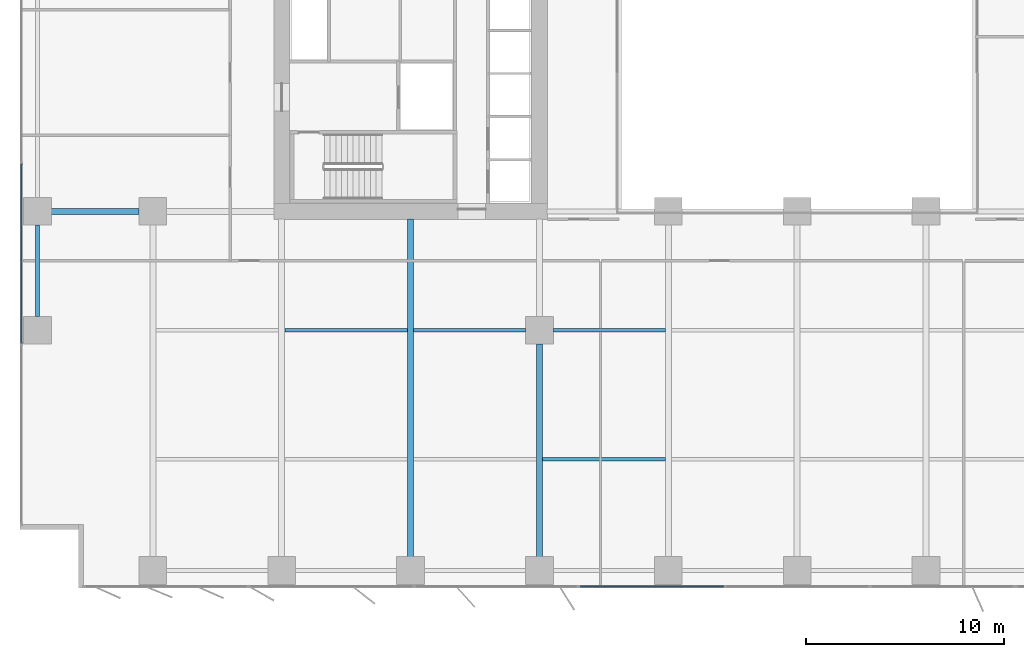
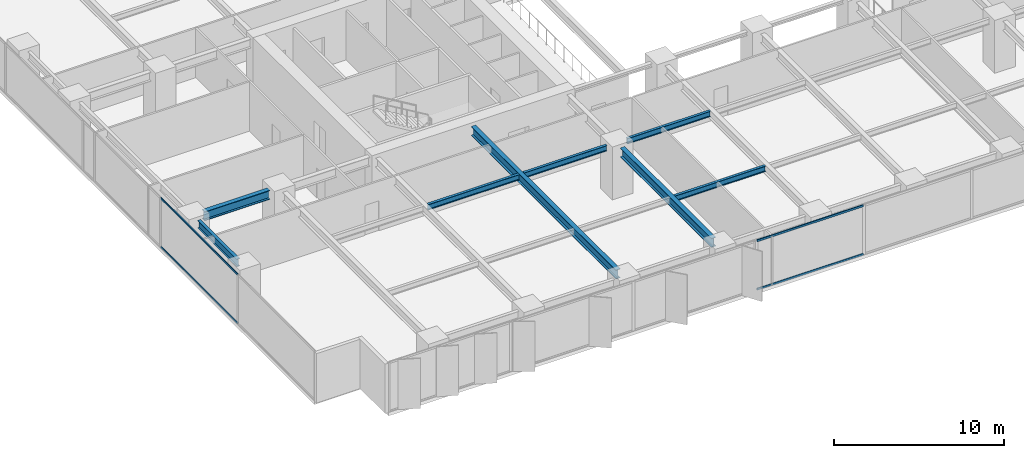
# One storey, part 3 of 20: 8 beams, 4 members, 2 elements without a shape of their own.
"""IFC4 building model written with IfcOpenShell, lengths in metres."""

from ifc_helpers import new_model, si_unit, direction, frame, origin, origin_2d, place, context, subcontext, project, spatial, rectangle, i_section, extrude, material, layer, layer_set, material_profile, profile_set, type_object, element, aggregate, save


model = new_model("IFC4")

# Units and contexts
model_context = context("Model", 3, precision=1e-05, world=origin(), true_north=direction((0.0, 1.0)))
body_context = subcontext(model_context, "Body", "Model", "MODEL_VIEW")
ifc_project = project(units=[si_unit("LENGTHUNIT", "METRE"), si_unit("AREAUNIT", "SQUARE_METRE"), si_unit("VOLUMEUNIT", "CUBIC_METRE"), si_unit("PLANEANGLEUNIT", "RADIAN"), si_unit("MASSUNIT", "GRAM", prefix="KILO")], contexts=[model_context])

# Site, building, storey
site_placement = place(None, origin())
site = spatial("IfcSite", under=ifc_project, at=site_placement, CompositionType="ELEMENT")
building_placement = place(site_placement, origin())
building = spatial("IfcBuilding", under=site, at=building_placement, Name="Putna Gate Headquarters", CompositionType="ELEMENT")
storey_placement = place(building_placement, frame((0.0, 0.0, 58.199951171875)))
storey = spatial("IfcBuildingStorey", under=building, at=storey_placement, Name="L13", CompositionType="ELEMENT", Elevation=58.199951171875)

# Beams
ifc_material_1 = material(Name="Steel S355J2", Category="steel")
ifc_material_profile_1 = material_profile(ifc_material_1, i_section(OverallWidth=0.300048828125, OverallDepth=0.64990234375, WebThickness=0.01611328125, FlangeThickness=0.031005859375, at=origin_2d()), Name="Steel S355J2")
ifc_profile_set_1 = profile_set([ifc_material_profile_1], Name="Steel S355J2")
beam_type_1 = type_object("IfcBeamType", Name="BM-GIRD-Z1-HEB650", PredefinedType="USERDEFINED", material=ifc_profile_set_1)
beam_1_placement = place(storey_placement, frame((1.367919921875, 19.0, 3.22509765625), z_axis=(1.0, 0.0, 0.0), x_axis=(0.0, 1.0, 0.0)))
element("IfcBeam", 1, at=beam_1_placement, inside=storey, type_object=beam_type_1, Name="L13 West Wing Girder Y19-1", ObjectType="GIRDER", PredefinedType="USERDEFINED", context=body_context, shape_type="SweptSolid", body=[
    extrude(i_section(OverallWidth=0.300048828125, OverallDepth=0.64990234375, WebThickness=0.01611328125, FlangeThickness=0.031005859375, at=origin_2d()), origin(), (0.0, 0.0, 1.0), 4.444091796875),
])
beam_2_placement = place(storey_placement, frame((19.5, 1.568115234375, 3.22509765625), z_axis=(0.0, 1.0, 0.0), x_axis=(-1.0, 0.0, 0.0)))
element("IfcBeam", 2, at=beam_2_placement, inside=storey, type_object=beam_type_1, Name="L13 South Primary Girder X19", ObjectType="GIRDER", PredefinedType="USERDEFINED", context=body_context, shape_type="SweptSolid", body=[
    extrude(i_section(OverallWidth=0.300048828125, OverallDepth=0.64990234375, WebThickness=0.01611328125, FlangeThickness=0.031005859375, at=origin_2d()), origin(), (0.0, 0.0, 1.0), 17.046875),
])
beam_3_placement = place(storey_placement, frame((26.0, 1.568115234375, 3.22509765625), z_axis=(0.0, 1.0, 0.0), x_axis=(-1.0, 0.0, 0.0)))
element("IfcBeam", 3, at=beam_3_placement, inside=storey, type_object=beam_type_1, Name="L13 South Primary Girder X26-1", ObjectType="GIRDER", PredefinedType="USERDEFINED", context=body_context, shape_type="SweptSolid", body=[
    extrude(i_section(OverallWidth=0.300048828125, OverallDepth=0.64990234375, WebThickness=0.01611328125, FlangeThickness=0.031005859375, at=origin_2d()), origin(), (0.0, 0.0, 1.0), 10.743896484375),
])
ifc_material_profile_2 = material_profile(ifc_material_1, i_section(OverallWidth=0.179931640625, OverallDepth=0.39990234375, WebThickness=0.008544921875, FlangeThickness=0.013427734375, at=origin_2d()), Name="Steel S355J2")
ifc_profile_set_2 = profile_set([ifc_material_profile_2], Name="Steel S355J2")
beam_type_2 = type_object("IfcBeamType", Name="BM-SEC-Z1-IPE400", PredefinedType="BEAM", material=ifc_profile_set_2)
beam_4_placement = place(storey_placement, frame((13.154052734375, 13.0, 3.35009765625), z_axis=(1.0, 0.0, 0.0), x_axis=(0.0, 1.0, 0.0)))
element("IfcBeam", 4, at=beam_4_placement, inside=storey, type_object=beam_type_2, Name="L13 South Secondary Beam 2", PredefinedType="BEAM", context=body_context, shape_type="SweptSolid", body=[
    extrude(i_section(OverallWidth=0.179931640625, OverallDepth=0.39990234375, WebThickness=0.008544921875, FlangeThickness=0.013427734375, at=origin_2d()), origin(), (0.0, 0.0, 1.0), 6.19189453125),
])
beam_5_placement = place(storey_placement, frame((19.654052734375, 13.0, 3.35009765625), z_axis=(1.0, 0.0, 0.0), x_axis=(0.0, 1.0, 0.0)))
element("IfcBeam", 5, at=beam_5_placement, inside=storey, type_object=beam_type_2, Name="L13 South Secondary Beam 3", PredefinedType="BEAM", context=body_context, shape_type="SweptSolid", body=[
    extrude(i_section(OverallWidth=0.179931640625, OverallDepth=0.39990234375, WebThickness=0.008544921875, FlangeThickness=0.013427734375, at=origin_2d()), origin(), (0.0, 0.0, 1.0), 5.657958984375),
])
beam_6_placement = place(storey_placement, frame((26.154052734375, 6.5, 3.35009765625), z_axis=(1.0, 0.0, 0.0), x_axis=(0.0, 1.0, 0.0)))
element("IfcBeam", 6, at=beam_6_placement, inside=storey, type_object=beam_type_2, Name="L13 South Secondary Beam 4", PredefinedType="BEAM", context=body_context, shape_type="SweptSolid", body=[
    extrude(i_section(OverallWidth=0.179931640625, OverallDepth=0.39990234375, WebThickness=0.008544921875, FlangeThickness=0.013427734375, at=origin_2d()), origin(), (0.0, 0.0, 1.0), 6.19189453125),
])
beam_7_placement = place(storey_placement, frame((26.68798828125, 13.0, 3.35009765625), z_axis=(1.0, 0.0, 0.0), x_axis=(0.0, 1.0, 0.0)))
element("IfcBeam", 7, at=beam_7_placement, inside=storey, type_object=beam_type_2, Name="L13 South Secondary Beam 4", PredefinedType="BEAM", context=body_context, shape_type="SweptSolid", body=[
    extrude(i_section(OverallWidth=0.179931640625, OverallDepth=0.39990234375, WebThickness=0.008544921875, FlangeThickness=0.013427734375, at=origin_2d()), origin(), (0.0, 0.0, 1.0), 5.657958984375),
])
ifc_material_profile_3 = material_profile(ifc_material_1, i_section(OverallWidth=0.2099609375, OverallDepth=0.550048828125, WebThickness=0.010986328125, FlangeThickness=0.01708984375, at=origin_2d()), Name="Steel S355J2")
ifc_profile_set_3 = profile_set([ifc_material_profile_3], Name="Steel S355J2")
beam_type_3 = type_object("IfcBeamType", Name="BM-SPAN-Z1-IPE550", PredefinedType="SPANDREL", material=ifc_profile_set_3)
beam_8_placement = place(storey_placement, frame((0.679931640625, 13.68798828125, 3.275146484375), z_axis=(0.0, 1.0, 0.0), x_axis=(-1.0, 0.0, 0.0)))
element("IfcBeam", 8, at=beam_8_placement, inside=storey, type_object=beam_type_3, Name="L13 W End Spandrel 1", PredefinedType="SPANDREL", context=body_context, shape_type="SweptSolid", body=[
    extrude(i_section(OverallWidth=0.2099609375, OverallDepth=0.550048828125, WebThickness=0.010986328125, FlangeThickness=0.01708984375, at=origin_2d()), origin(), (0.0, 0.0, 1.0), 4.6240234375),
])

# Curtain wall, members
ifc_material_2 = material(Name="Anodised bronze aluminium curtain wall", Category="aluminium")
ifc_layer_1 = layer(ifc_material_2, 0.179931640625)
ifc_layer_set_1 = layer_set([ifc_layer_1], Name="Anodised bronze aluminium curtain wall")
curtain_wall_type_1 = type_object("IfcCurtainWallType", Name="CW-SYS-Z1", PredefinedType="USERDEFINED", material=ifc_layer_set_1)
curtain_wall_1_placement = place(storey_placement, origin())
curtain_wall_1 = element("IfcCurtainWall", 9, at=curtain_wall_1_placement, inside=storey, type_object=curtain_wall_type_1, Name="L13 West Curtain Wall", ObjectType="STICK CURTAIN WALL", PredefinedType="USERDEFINED")
ifc_material_3 = material(Name="Anodised bronze aluminium EN AW-6060", Category="aluminium")
ifc_material_profile_4 = material_profile(ifc_material_3, rectangle(XDim=0.06494140625, YDim=0.1201171875, at=origin_2d()), Name="Anodised bronze aluminium EN AW-6060")
ifc_profile_set_4 = profile_set([ifc_material_profile_4], Name="Anodised bronze aluminium EN AW-6060")
member_type_1 = type_object("IfcMemberType", Name="TRAN-CWT-1", PredefinedType="USERDEFINED", material=ifc_profile_set_4)
member_1_placement = place(storey_placement, frame((-0.1201171875, 12.35498046875, 0.032470703125), z_axis=(0.0, 1.0, 0.0), x_axis=(-1.0, 0.0, 0.0)))
member_1 = element("IfcMember", 10, at=member_1_placement, type_object=member_type_1, Name="CWS-1 transom 2.1", ObjectType="TRANSOM", PredefinedType="USERDEFINED", context=body_context, shape_type="SweptSolid", body=[
    extrude(rectangle(XDim=0.06494140625, YDim=0.1201171875, at=origin_2d()), origin(), (0.0, 0.0, 1.0), 9.050048828125),
])
member_2_placement = place(storey_placement, frame((-0.1201171875, 12.35498046875, 3.517578125), z_axis=(0.0, 1.0, 0.0), x_axis=(-1.0, 0.0, 0.0)))
member_2 = element("IfcMember", 11, at=member_2_placement, type_object=member_type_1, Name="CWS-1 transom 2.2", ObjectType="TRANSOM", PredefinedType="USERDEFINED", context=body_context, shape_type="SweptSolid", body=[
    extrude(rectangle(XDim=0.06494140625, YDim=0.1201171875, at=origin_2d()), origin(), (0.0, 0.0, 1.0), 9.050048828125),
])
aggregate(curtain_wall_1, [member_1, member_2])

ifc_layer_2 = layer(ifc_material_2, 0.179931640625)
ifc_layer_set_2 = layer_set([ifc_layer_2], Name="Anodised bronze aluminium curtain wall")
curtain_wall_type_2 = type_object("IfcCurtainWallType", Name="CW-SYS-ATR", PredefinedType="USERDEFINED", material=ifc_layer_set_2)
curtain_wall_2_placement = place(storey_placement, origin())
curtain_wall_2 = element("IfcCurtainWall", 12, at=curtain_wall_2_placement, inside=storey, type_object=curtain_wall_type_2, Name="L13 South Atrium Clear Glazing", ObjectType="ATRIUM GLAZING", PredefinedType="USERDEFINED")
ifc_material_profile_5 = material_profile(ifc_material_3, rectangle(XDim=0.070068359375, YDim=0.139892578125, at=origin_2d()), Name="Anodised bronze aluminium EN AW-6060")
ifc_profile_set_5 = profile_set([ifc_material_profile_5], Name="Anodised bronze aluminium EN AW-6060")
member_type_2 = type_object("IfcMemberType", Name="TRAN-CWT-AT", PredefinedType="USERDEFINED", material=ifc_profile_set_5)
member_3_placement = place(storey_placement, frame((28.070068359375, 0.080078125, 0.03515625), z_axis=(1.0, 0.0, 0.0), x_axis=(0.0, 1.0, 0.0)))
member_3 = element("IfcMember", 13, at=member_3_placement, type_object=member_type_2, Name="CWS-AT transom 1.1", ObjectType="TRANSOM", PredefinedType="USERDEFINED", context=body_context, shape_type="SweptSolid", body=[
    extrude(rectangle(XDim=0.070068359375, YDim=0.139892578125, at=origin_2d()), origin(), (0.0, 0.0, 1.0), 7.228271484375),
])
member_4_placement = place(storey_placement, frame((28.070068359375, 0.080078125, 3.51513671875), z_axis=(1.0, 0.0, 0.0), x_axis=(0.0, 1.0, 0.0)))
member_4 = element("IfcMember", 14, at=member_4_placement, type_object=member_type_2, Name="CWS-AT transom 1.2", ObjectType="TRANSOM", PredefinedType="USERDEFINED", context=body_context, shape_type="SweptSolid", body=[
    extrude(rectangle(XDim=0.070068359375, YDim=0.139892578125, at=origin_2d()), origin(), (0.0, 0.0, 1.0), 7.228271484375),
])
aggregate(curtain_wall_2, [member_3, member_4])

save(model, "model.ifc")
